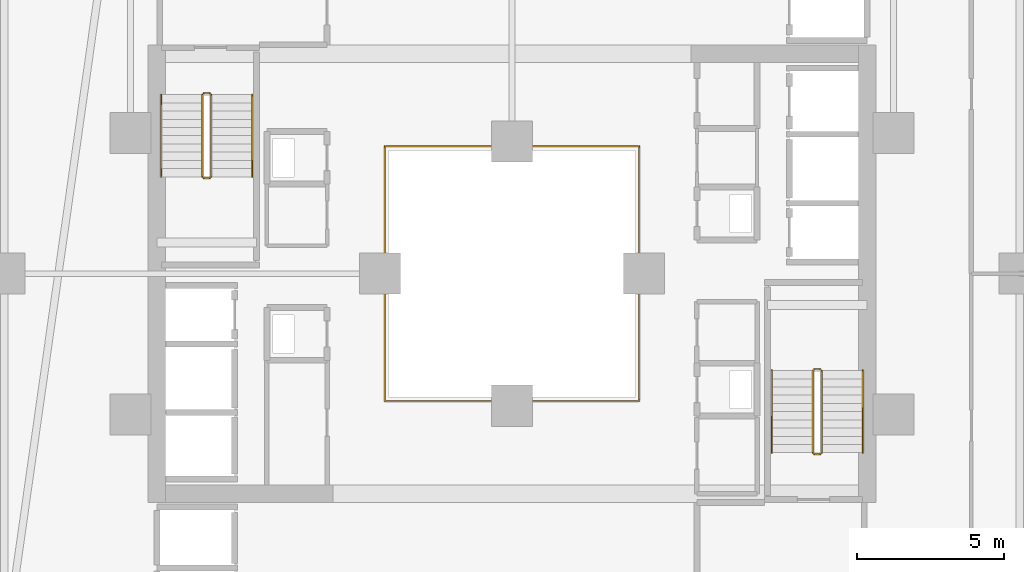
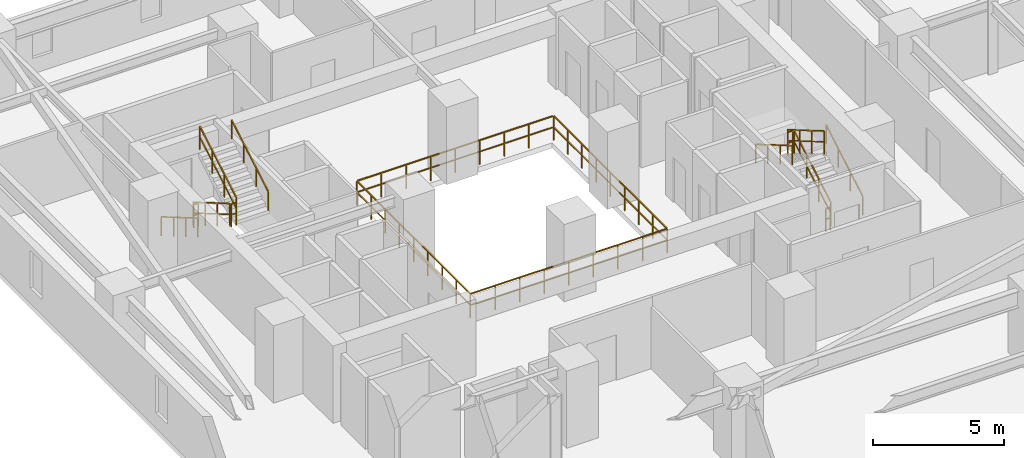
# One storey, part 32 of 33: 13 railings.
"""IFC4 building model written with IfcOpenShell, lengths in metres."""

from ifc_helpers import new_model, si_unit, direction, frame, origin, origin_2d, place, context, subcontext, project, spatial, rectangle, extrude, material, type_object, element, save


model = new_model("IFC4")

# Units and contexts
model_context = context("Model", 3, precision=1e-05, world=origin(), true_north=direction((0.0, 1.0)))
body_context = subcontext(model_context, "Body", "Model", "MODEL_VIEW")
ifc_project = project(units=[si_unit("LENGTHUNIT", "METRE"), si_unit("AREAUNIT", "SQUARE_METRE"), si_unit("VOLUMEUNIT", "CUBIC_METRE"), si_unit("PLANEANGLEUNIT", "RADIAN"), si_unit("MASSUNIT", "GRAM", prefix="KILO")], contexts=[model_context])

# Site, building, storey
site_placement = place(None, origin())
site = spatial("IfcSite", under=ifc_project, at=site_placement, CompositionType="ELEMENT")
building_placement = place(site_placement, origin())
building = spatial("IfcBuilding", under=site, at=building_placement, Name="Thornwick Lancets Civic Towers", CompositionType="ELEMENT")
storey_placement = place(building_placement, frame((0.0, 0.0, 31.5)))
storey = spatial("IfcBuildingStorey", under=building, at=storey_placement, Name="L07", CompositionType="ELEMENT", Elevation=31.5)

# Railings
ifc_material_1 = material(Name="Laminated glass and bronze steel S355", Category="steel")
railing_type_1 = type_object("IfcRailingType", Name="RAIL_ATRIUM_GUARD", PredefinedType="BALUSTRADE", material=ifc_material_1)
railing_1_placement = place(storey_placement, frame((84.159912109375, 22.659912109375, 0.0)))
element("IfcRailing", 1, at=railing_1_placement, inside=storey, type_object=railing_type_1, Name="L07 Tower B Central Atrium Guard Balustrade", PredefinedType="BALUSTRADE", context=body_context, shape_type="SweptSolid", body=[
    extrude(rectangle(XDim=0.048095703125, YDim=0.048095703125, at=origin_2d()), frame((0.0, 0.0, 1.1259765625), z_axis=(1.0, 0.0, 0.0), x_axis=(0.0, 1.0, 0.0)), (0.0, 0.0, 1.0), 8.64892578125),
    extrude(rectangle(XDim=0.0419921875, YDim=0.0419921875, at=origin_2d()), frame((0.03759765625, 0.0, 0.597900390625), z_axis=(1.0, 0.0, 0.0), x_axis=(0.0, 1.0, 0.0)), (0.0, 0.0, 1.0), 1.010009765625),
    extrude(rectangle(XDim=0.0419921875, YDim=0.0419921875, at=origin_2d()), frame((1.12255859375, 0.0, 0.597900390625), z_axis=(1.0, 0.0, 0.0), x_axis=(0.0, 1.0, 0.0)), (0.0, 0.0, 1.0), 1.010009765625),
    extrude(rectangle(XDim=0.0419921875, YDim=0.0419921875, at=origin_2d()), frame((2.20751953125, 0.0, 0.597900390625), z_axis=(1.0, 0.0, 0.0), x_axis=(0.0, 1.0, 0.0)), (0.0, 0.0, 1.0), 1.010009765625),
    extrude(rectangle(XDim=0.0419921875, YDim=0.0419921875, at=origin_2d()), frame((3.29248046875, 0.0, 0.597900390625), z_axis=(1.0, 0.0, 0.0), x_axis=(0.0, 1.0, 0.0)), (0.0, 0.0, 1.0), 1.010009765625),
    extrude(rectangle(XDim=0.0419921875, YDim=0.0419921875, at=origin_2d()), frame((4.377685546875, 0.0, 0.597900390625), z_axis=(1.0, 0.0, 0.0), x_axis=(0.0, 1.0, 0.0)), (0.0, 0.0, 1.0), 1.010009765625),
    extrude(rectangle(XDim=0.0419921875, YDim=0.0419921875, at=origin_2d()), frame((5.462646484375, 0.0, 0.597900390625), z_axis=(1.0, 0.0, 0.0), x_axis=(0.0, 1.0, 0.0)), (0.0, 0.0, 1.0), 1.010009765625),
    extrude(rectangle(XDim=0.0419921875, YDim=0.0419921875, at=origin_2d()), frame((6.547607421875, 0.0, 0.597900390625), z_axis=(1.0, 0.0, 0.0), x_axis=(0.0, 1.0, 0.0)), (0.0, 0.0, 1.0), 1.010009765625),
    extrude(rectangle(XDim=0.0419921875, YDim=0.0419921875, at=origin_2d()), frame((7.632568359375, 0.0, 0.597900390625), z_axis=(1.0, 0.0, 0.0), x_axis=(0.0, 1.0, 0.0)), (0.0, 0.0, 1.0), 1.010009765625),
    extrude(rectangle(XDim=0.048095703125, YDim=0.048095703125, at=origin_2d()), frame((8.68017578125, 0.03125, 1.1259765625), z_axis=(0.0, 1.0, 0.0), x_axis=(-1.0, 0.0, 0.0)), (0.0, 0.0, 1.0), 8.61767578125),
    extrude(rectangle(XDim=0.0419921875, YDim=0.0419921875, at=origin_2d()), frame((8.68017578125, 0.03759765625, 0.597900390625), z_axis=(0.0, 1.0, 0.0), x_axis=(-1.0, 0.0, 0.0)), (0.0, 0.0, 1.0), 1.010009765625),
    extrude(rectangle(XDim=0.0419921875, YDim=0.0419921875, at=origin_2d()), frame((8.68017578125, 1.12255859375, 0.597900390625), z_axis=(0.0, 1.0, 0.0), x_axis=(-1.0, 0.0, 0.0)), (0.0, 0.0, 1.0), 1.010009765625),
    extrude(rectangle(XDim=0.0419921875, YDim=0.0419921875, at=origin_2d()), frame((8.68017578125, 2.20751953125, 0.597900390625), z_axis=(0.0, 1.0, 0.0), x_axis=(-1.0, 0.0, 0.0)), (0.0, 0.0, 1.0), 1.010009765625),
    extrude(rectangle(XDim=0.0419921875, YDim=0.0419921875, at=origin_2d()), frame((8.68017578125, 3.29248046875, 0.597900390625), z_axis=(0.0, 1.0, 0.0), x_axis=(-1.0, 0.0, 0.0)), (0.0, 0.0, 1.0), 1.010009765625),
    extrude(rectangle(XDim=0.0419921875, YDim=0.0419921875, at=origin_2d()), frame((8.68017578125, 4.377685546875, 0.597900390625), z_axis=(0.0, 1.0, 0.0), x_axis=(-1.0, 0.0, 0.0)), (0.0, 0.0, 1.0), 1.010009765625),
    extrude(rectangle(XDim=0.0419921875, YDim=0.0419921875, at=origin_2d()), frame((8.68017578125, 5.462646484375, 0.597900390625), z_axis=(0.0, 1.0, 0.0), x_axis=(-1.0, 0.0, 0.0)), (0.0, 0.0, 1.0), 1.010009765625),
    extrude(rectangle(XDim=0.0419921875, YDim=0.0419921875, at=origin_2d()), frame((8.68017578125, 6.547607421875, 0.597900390625), z_axis=(0.0, 1.0, 0.0), x_axis=(-1.0, 0.0, 0.0)), (0.0, 0.0, 1.0), 1.010009765625),
    extrude(rectangle(XDim=0.0419921875, YDim=0.0419921875, at=origin_2d()), frame((8.68017578125, 7.632568359375, 0.597900390625), z_axis=(0.0, 1.0, 0.0), x_axis=(-1.0, 0.0, 0.0)), (0.0, 0.0, 1.0), 1.010009765625),
    extrude(rectangle(XDim=0.048095703125, YDim=0.048095703125, at=origin_2d()), frame((8.64892578125, 8.68017578125, 1.1259765625), z_axis=(-1.0, 0.0, 0.0), x_axis=(0.0, -1.0, 0.0)), (0.0, 0.0, 1.0), 8.61767578125),
    extrude(rectangle(XDim=0.0419921875, YDim=0.0419921875, at=origin_2d()), frame((8.642578125, 8.68017578125, 0.597900390625), z_axis=(-1.0, 0.0, 0.0), x_axis=(0.0, -1.0, 0.0)), (0.0, 0.0, 1.0), 1.010009765625),
    extrude(rectangle(XDim=0.0419921875, YDim=0.0419921875, at=origin_2d()), frame((7.5576171875, 8.68017578125, 0.597900390625), z_axis=(-1.0, 0.0, 0.0), x_axis=(0.0, -1.0, 0.0)), (0.0, 0.0, 1.0), 1.010009765625),
    extrude(rectangle(XDim=0.0419921875, YDim=0.0419921875, at=origin_2d()), frame((6.47265625, 8.68017578125, 0.597900390625), z_axis=(-1.0, 0.0, 0.0), x_axis=(0.0, -1.0, 0.0)), (0.0, 0.0, 1.0), 1.010009765625),
    extrude(rectangle(XDim=0.0419921875, YDim=0.0419921875, at=origin_2d()), frame((5.3876953125, 8.68017578125, 0.597900390625), z_axis=(-1.0, 0.0, 0.0), x_axis=(0.0, -1.0, 0.0)), (0.0, 0.0, 1.0), 1.010009765625),
    extrude(rectangle(XDim=0.0419921875, YDim=0.0419921875, at=origin_2d()), frame((4.302490234375, 8.68017578125, 0.597900390625), z_axis=(-1.0, 0.0, 0.0), x_axis=(0.0, -1.0, 0.0)), (0.0, 0.0, 1.0), 1.010009765625),
    extrude(rectangle(XDim=0.0419921875, YDim=0.0419921875, at=origin_2d()), frame((3.217529296875, 8.68017578125, 0.597900390625), z_axis=(-1.0, 0.0, 0.0), x_axis=(0.0, -1.0, 0.0)), (0.0, 0.0, 1.0), 1.010009765625),
    extrude(rectangle(XDim=0.0419921875, YDim=0.0419921875, at=origin_2d()), frame((2.132568359375, 8.68017578125, 0.597900390625), z_axis=(-1.0, 0.0, 0.0), x_axis=(0.0, -1.0, 0.0)), (0.0, 0.0, 1.0), 1.010009765625),
    extrude(rectangle(XDim=0.0419921875, YDim=0.0419921875, at=origin_2d()), frame((1.047607421875, 8.68017578125, 0.597900390625), z_axis=(-1.0, 0.0, 0.0), x_axis=(0.0, -1.0, 0.0)), (0.0, 0.0, 1.0), 1.010009765625),
    extrude(rectangle(XDim=0.048095703125, YDim=0.048095703125, at=origin_2d()), frame((0.0, 8.64892578125, 1.1259765625), z_axis=(0.0, -1.0, 0.0), x_axis=(1.0, 0.0, 0.0)), (0.0, 0.0, 1.0), 8.64892578125),
    extrude(rectangle(XDim=0.0419921875, YDim=0.0419921875, at=origin_2d()), frame((0.0, 8.642578125, 0.597900390625), z_axis=(0.0, -1.0, 0.0), x_axis=(1.0, 0.0, 0.0)), (0.0, 0.0, 1.0), 1.010009765625),
    extrude(rectangle(XDim=0.0419921875, YDim=0.0419921875, at=origin_2d()), frame((0.0, 7.5576171875, 0.597900390625), z_axis=(0.0, -1.0, 0.0), x_axis=(1.0, 0.0, 0.0)), (0.0, 0.0, 1.0), 1.010009765625),
    extrude(rectangle(XDim=0.0419921875, YDim=0.0419921875, at=origin_2d()), frame((0.0, 6.47265625, 0.597900390625), z_axis=(0.0, -1.0, 0.0), x_axis=(1.0, 0.0, 0.0)), (0.0, 0.0, 1.0), 1.010009765625),
    extrude(rectangle(XDim=0.0419921875, YDim=0.0419921875, at=origin_2d()), frame((0.0, 5.3876953125, 0.597900390625), z_axis=(0.0, -1.0, 0.0), x_axis=(1.0, 0.0, 0.0)), (0.0, 0.0, 1.0), 1.010009765625),
    extrude(rectangle(XDim=0.0419921875, YDim=0.0419921875, at=origin_2d()), frame((0.0, 4.302490234375, 0.597900390625), z_axis=(0.0, -1.0, 0.0), x_axis=(1.0, 0.0, 0.0)), (0.0, 0.0, 1.0), 1.010009765625),
    extrude(rectangle(XDim=0.0419921875, YDim=0.0419921875, at=origin_2d()), frame((0.0, 3.217529296875, 0.597900390625), z_axis=(0.0, -1.0, 0.0), x_axis=(1.0, 0.0, 0.0)), (0.0, 0.0, 1.0), 1.010009765625),
    extrude(rectangle(XDim=0.0419921875, YDim=0.0419921875, at=origin_2d()), frame((0.0, 2.132568359375, 0.597900390625), z_axis=(0.0, -1.0, 0.0), x_axis=(1.0, 0.0, 0.0)), (0.0, 0.0, 1.0), 1.010009765625),
    extrude(rectangle(XDim=0.0419921875, YDim=0.0419921875, at=origin_2d()), frame((0.0, 1.047607421875, 0.597900390625), z_axis=(0.0, -1.0, 0.0), x_axis=(1.0, 0.0, 0.0)), (0.0, 0.0, 1.0), 1.010009765625),
    extrude(rectangle(XDim=0.0419921875, YDim=0.0419921875, at=origin_2d()), origin(), (0.0, 0.0, 1.0), 1.095703125),
    extrude(rectangle(XDim=0.0419921875, YDim=0.0419921875, at=origin_2d()), frame((1.0849609375, 0.0, 0.0)), (0.0, 0.0, 1.0), 1.095703125),
    extrude(rectangle(XDim=0.0419921875, YDim=0.0419921875, at=origin_2d()), frame((2.169921875, 0.0, 0.0)), (0.0, 0.0, 1.0), 1.095703125),
    extrude(rectangle(XDim=0.0419921875, YDim=0.0419921875, at=origin_2d()), frame((3.255126953125, 0.0, 0.0)), (0.0, 0.0, 1.0), 1.095703125),
    extrude(rectangle(XDim=0.0419921875, YDim=0.0419921875, at=origin_2d()), frame((4.340087890625, 0.0, 0.0)), (0.0, 0.0, 1.0), 1.095703125),
    extrude(rectangle(XDim=0.0419921875, YDim=0.0419921875, at=origin_2d()), frame((5.425048828125, 0.0, 0.0)), (0.0, 0.0, 1.0), 1.095703125),
    extrude(rectangle(XDim=0.0419921875, YDim=0.0419921875, at=origin_2d()), frame((6.51025390625, 0.0, 0.0)), (0.0, 0.0, 1.0), 1.095703125),
    extrude(rectangle(XDim=0.0419921875, YDim=0.0419921875, at=origin_2d()), frame((7.59521484375, 0.0, 0.0)), (0.0, 0.0, 1.0), 1.095703125),
    extrude(rectangle(XDim=0.0419921875, YDim=0.0419921875, at=origin_2d()), frame((8.68017578125, 0.0, 0.0)), (0.0, 0.0, 1.0), 1.095703125),
    extrude(rectangle(XDim=0.0419921875, YDim=0.0419921875, at=origin_2d()), frame((8.68017578125, 1.0849609375, 0.0)), (0.0, 0.0, 1.0), 1.095703125),
    extrude(rectangle(XDim=0.0419921875, YDim=0.0419921875, at=origin_2d()), frame((8.68017578125, 2.169921875, 0.0)), (0.0, 0.0, 1.0), 1.095703125),
    extrude(rectangle(XDim=0.0419921875, YDim=0.0419921875, at=origin_2d()), frame((8.68017578125, 3.255126953125, 0.0)), (0.0, 0.0, 1.0), 1.095703125),
    extrude(rectangle(XDim=0.0419921875, YDim=0.0419921875, at=origin_2d()), frame((8.68017578125, 4.340087890625, 0.0)), (0.0, 0.0, 1.0), 1.095703125),
    extrude(rectangle(XDim=0.0419921875, YDim=0.0419921875, at=origin_2d()), frame((8.68017578125, 5.425048828125, 0.0)), (0.0, 0.0, 1.0), 1.095703125),
    extrude(rectangle(XDim=0.0419921875, YDim=0.0419921875, at=origin_2d()), frame((8.68017578125, 6.51025390625, 0.0)), (0.0, 0.0, 1.0), 1.095703125),
    extrude(rectangle(XDim=0.0419921875, YDim=0.0419921875, at=origin_2d()), frame((8.68017578125, 7.59521484375, 0.0)), (0.0, 0.0, 1.0), 1.095703125),
    extrude(rectangle(XDim=0.0419921875, YDim=0.0419921875, at=origin_2d()), frame((8.68017578125, 8.68017578125, 0.0)), (0.0, 0.0, 1.0), 1.095703125),
    extrude(rectangle(XDim=0.0419921875, YDim=0.0419921875, at=origin_2d()), frame((7.59521484375, 8.68017578125, 0.0)), (0.0, 0.0, 1.0), 1.095703125),
    extrude(rectangle(XDim=0.0419921875, YDim=0.0419921875, at=origin_2d()), frame((6.51025390625, 8.68017578125, 0.0)), (0.0, 0.0, 1.0), 1.095703125),
    extrude(rectangle(XDim=0.0419921875, YDim=0.0419921875, at=origin_2d()), frame((5.425048828125, 8.68017578125, 0.0)), (0.0, 0.0, 1.0), 1.095703125),
    extrude(rectangle(XDim=0.0419921875, YDim=0.0419921875, at=origin_2d()), frame((4.340087890625, 8.68017578125, 0.0)), (0.0, 0.0, 1.0), 1.095703125),
    extrude(rectangle(XDim=0.0419921875, YDim=0.0419921875, at=origin_2d()), frame((3.255126953125, 8.68017578125, 0.0)), (0.0, 0.0, 1.0), 1.095703125),
    extrude(rectangle(XDim=0.0419921875, YDim=0.0419921875, at=origin_2d()), frame((2.169921875, 8.68017578125, 0.0)), (0.0, 0.0, 1.0), 1.095703125),
    extrude(rectangle(XDim=0.0419921875, YDim=0.0419921875, at=origin_2d()), frame((1.0849609375, 8.68017578125, 0.0)), (0.0, 0.0, 1.0), 1.095703125),
    extrude(rectangle(XDim=0.0419921875, YDim=0.0419921875, at=origin_2d()), frame((0.0, 8.68017578125, 0.0)), (0.0, 0.0, 1.0), 1.095703125),
    extrude(rectangle(XDim=0.0419921875, YDim=0.0419921875, at=origin_2d()), frame((0.0, 7.59521484375, 0.0)), (0.0, 0.0, 1.0), 1.095703125),
    extrude(rectangle(XDim=0.0419921875, YDim=0.0419921875, at=origin_2d()), frame((0.0, 6.51025390625, 0.0)), (0.0, 0.0, 1.0), 1.095703125),
    extrude(rectangle(XDim=0.0419921875, YDim=0.0419921875, at=origin_2d()), frame((0.0, 5.425048828125, 0.0)), (0.0, 0.0, 1.0), 1.095703125),
    extrude(rectangle(XDim=0.0419921875, YDim=0.0419921875, at=origin_2d()), frame((0.0, 4.340087890625, 0.0)), (0.0, 0.0, 1.0), 1.095703125),
    extrude(rectangle(XDim=0.0419921875, YDim=0.0419921875, at=origin_2d()), frame((0.0, 3.255126953125, 0.0)), (0.0, 0.0, 1.0), 1.095703125),
    extrude(rectangle(XDim=0.0419921875, YDim=0.0419921875, at=origin_2d()), frame((0.0, 2.169921875, 0.0)), (0.0, 0.0, 1.0), 1.095703125),
    extrude(rectangle(XDim=0.0419921875, YDim=0.0419921875, at=origin_2d()), frame((0.0, 1.0849609375, 0.0)), (0.0, 0.0, 1.0), 1.095703125),
])
ifc_material_2 = material(Name="Brushed stainless steel S355", Category="steel")
railing_type_2 = type_object("IfcRailingType", Name="RAIL_HANDRAIL", PredefinedType="HANDRAIL", material=ifc_material_2)
railing_2_placement = place(storey_placement, frame((100.449951171875, 20.89990234375, 0.16357421875)))
element("IfcRailing", 2, at=railing_2_placement, inside=storey, type_object=railing_type_2, Name="L07 ST-B1 stair handrail 1", PredefinedType="HANDRAIL", context=body_context, shape_type="SweptSolid", body=[
    extrude(rectangle(XDim=0.048095703125, YDim=0.048095703125, at=origin_2d()), frame((0.0, 0.0, 0.8857421875), z_axis=(0.0, 0.863360870873, 0.504586966384), x_axis=(-1.0, 0.0, 0.0)), (0.0, 0.0, 1.0), 3.2431640625),
    extrude(rectangle(XDim=0.0419921875, YDim=0.0419921875, at=origin_2d()), origin(), (0.0, 0.0, 1.0), 0.855712890625),
    extrude(rectangle(XDim=0.0419921875, YDim=0.0419921875, at=origin_2d()), frame((0.0, 0.933349609375, 0.54541015625)), (0.0, 0.0, 1.0), 0.855712890625),
    extrude(rectangle(XDim=0.0419921875, YDim=0.0419921875, at=origin_2d()), frame((0.0, 1.86669921875, 1.091064453125)), (0.0, 0.0, 1.0), 0.855712890625),
    extrude(rectangle(XDim=0.0419921875, YDim=0.0419921875, at=origin_2d()), frame((0.0, 2.800048828125, 1.636474609375)), (0.0, 0.0, 1.0), 0.855712890625),
])
for number, where, name in (
    (3, (97.35009765625, 23.699951171875, 1.963623046875), "L07 ST-B1 stair handrail 2"),
    (4, (76.550048828125, 33.10009765625, 0.16357421875), "L07 ST-B2 stair handrail 1"),
):
    element("IfcRailing", number, at=place(storey_placement, frame(where)), inside=storey, type_object=railing_type_2, Name=name, PredefinedType="HANDRAIL", context=body_context, shape_type="SweptSolid", body=[
        extrude(rectangle(XDim=0.048095703125, YDim=0.048095703125, at=origin_2d()), frame((0.0, 0.0, 0.8857421875), z_axis=(0.0, -0.863360870873, 0.504586966384), x_axis=(1.0, 0.0, 0.0)), (0.0, 0.0, 1.0), 3.2431640625),
        extrude(rectangle(XDim=0.0419921875, YDim=0.0419921875, at=origin_2d()), origin(), (0.0, 0.0, 1.0), 0.855712890625),
        extrude(rectangle(XDim=0.0419921875, YDim=0.0419921875, at=origin_2d()), frame((0.0, -0.933349609375, 0.54541015625)), (0.0, 0.0, 1.0), 0.855712890625),
        extrude(rectangle(XDim=0.0419921875, YDim=0.0419921875, at=origin_2d()), frame((0.0, -1.86669921875, 1.091064453125)), (0.0, 0.0, 1.0), 0.855712890625),
        extrude(rectangle(XDim=0.0419921875, YDim=0.0419921875, at=origin_2d()), frame((0.0, -2.800048828125, 1.636474609375)), (0.0, 0.0, 1.0), 0.855712890625),
    ])
railing_3_placement = place(storey_placement, frame((79.64990234375, 30.300048828125, 1.963623046875)))
element("IfcRailing", 5, at=railing_3_placement, inside=storey, type_object=railing_type_2, Name="L07 ST-B2 stair handrail 2", PredefinedType="HANDRAIL", context=body_context, shape_type="SweptSolid", body=[
    extrude(rectangle(XDim=0.048095703125, YDim=0.048095703125, at=origin_2d()), frame((0.0, 0.0, 0.8857421875), z_axis=(0.0, 0.863360870873, 0.504586966384), x_axis=(-1.0, 0.0, 0.0)), (0.0, 0.0, 1.0), 3.2431640625),
    extrude(rectangle(XDim=0.0419921875, YDim=0.0419921875, at=origin_2d()), origin(), (0.0, 0.0, 1.0), 0.855712890625),
    extrude(rectangle(XDim=0.0419921875, YDim=0.0419921875, at=origin_2d()), frame((0.0, 0.933349609375, 0.54541015625)), (0.0, 0.0, 1.0), 0.855712890625),
    extrude(rectangle(XDim=0.0419921875, YDim=0.0419921875, at=origin_2d()), frame((0.0, 1.86669921875, 1.091064453125)), (0.0, 0.0, 1.0), 0.855712890625),
    extrude(rectangle(XDim=0.0419921875, YDim=0.0419921875, at=origin_2d()), frame((0.0, 2.800048828125, 1.636474609375)), (0.0, 0.0, 1.0), 0.855712890625),
])
ifc_material_3 = material(Name="Steel S355JR", Category="steel")
railing_type_3 = type_object("IfcRailingType", Name="RAIL_STAIR_GUARD", PredefinedType="GUARDRAIL", material=ifc_material_3)
railing_4_placement = place(storey_placement, frame((99.050048828125, 20.89990234375, 0.16357421875)))
element("IfcRailing", 6, at=railing_4_placement, inside=storey, type_object=railing_type_3, Name="L07 ST-B1 stair guard 1", PredefinedType="GUARDRAIL", context=body_context, shape_type="SweptSolid", body=[
    extrude(rectangle(XDim=0.048095703125, YDim=0.048095703125, at=origin_2d()), frame((0.0, 0.0, 1.076171875), z_axis=(0.0, 0.863360870873, 0.504586966384), x_axis=(-1.0, 0.0, 0.0)), (0.0, 0.0, 1.0), 3.2431640625),
    extrude(rectangle(XDim=0.0419921875, YDim=0.0419921875, at=origin_2d()), frame((0.0, 0.032470703125, 0.591064453125), z_axis=(0.0, 0.863360870873, 0.504586966384), x_axis=(-1.0, 0.0, 0.0)), (0.0, 0.0, 1.0), 1.006103515625),
    extrude(rectangle(XDim=0.0419921875, YDim=0.0419921875, at=origin_2d()), frame((0.0, 0.9658203125, 1.136474609375), z_axis=(0.0, 0.863360870873, 0.504586966384), x_axis=(-1.0, 0.0, 0.0)), (0.0, 0.0, 1.0), 1.006103515625),
    extrude(rectangle(XDim=0.0419921875, YDim=0.0419921875, at=origin_2d()), frame((0.0, 1.899169921875, 1.681884765625), z_axis=(0.0, 0.863360870873, 0.504586966384), x_axis=(-1.0, 0.0, 0.0)), (0.0, 0.0, 1.0), 1.006103515625),
    extrude(rectangle(XDim=0.0419921875, YDim=0.0419921875, at=origin_2d()), origin(), (0.0, 0.0, 1.0), 1.0458984375),
    extrude(rectangle(XDim=0.0419921875, YDim=0.0419921875, at=origin_2d()), frame((0.0, 0.933349609375, 0.54541015625)), (0.0, 0.0, 1.0), 1.0458984375),
    extrude(rectangle(XDim=0.0419921875, YDim=0.0419921875, at=origin_2d()), frame((0.0, 1.86669921875, 1.091064453125)), (0.0, 0.0, 1.0), 1.0458984375),
    extrude(rectangle(XDim=0.0419921875, YDim=0.0419921875, at=origin_2d()), frame((0.0, 2.800048828125, 1.636474609375)), (0.0, 0.0, 1.0), 1.0458984375),
])
railing_5_placement = place(storey_placement, frame((99.0, 23.75, 1.800048828125)))
element("IfcRailing", 7, at=railing_5_placement, inside=storey, type_object=railing_type_3, Name="L07 ST-B1 stair guard 2", PredefinedType="GUARDRAIL", context=body_context, shape_type="SweptSolid", body=[
    extrude(rectangle(XDim=0.048095703125, YDim=0.048095703125, at=origin_2d()), frame((0.0, 0.0, 1.076171875), z_axis=(-1.0, 0.0, 0.0), x_axis=(0.0, -1.0, 0.0)), (0.0, 0.0, 1.0), 0.199951171875),
    extrude(rectangle(XDim=0.0419921875, YDim=0.0419921875, at=origin_2d()), frame((-0.03759765625, 0.0, 0.572021484375), z_axis=(-1.0, 0.0, 0.0), x_axis=(0.0, -1.0, 0.0)), (0.0, 0.0, 1.0), 0.125),
    extrude(rectangle(XDim=0.0419921875, YDim=0.0419921875, at=origin_2d()), origin(), (0.0, 0.0, 1.0), 1.0458984375),
    extrude(rectangle(XDim=0.0419921875, YDim=0.0419921875, at=origin_2d()), frame((-0.199951171875, 0.0, 0.0)), (0.0, 0.0, 1.0), 1.0458984375),
])
railing_6_placement = place(storey_placement, frame((98.75, 23.699951171875, 1.963623046875)))
element("IfcRailing", 8, at=railing_6_placement, inside=storey, type_object=railing_type_3, Name="L07 ST-B1 stair guard 3", PredefinedType="GUARDRAIL", context=body_context, shape_type="SweptSolid", body=[
    extrude(rectangle(XDim=0.048095703125, YDim=0.048095703125, at=origin_2d()), frame((0.0, 0.0, 1.076171875), z_axis=(0.0, -0.863360870873, 0.504586966384), x_axis=(1.0, 0.0, 0.0)), (0.0, 0.0, 1.0), 3.2431640625),
    extrude(rectangle(XDim=0.0419921875, YDim=0.0419921875, at=origin_2d()), frame((0.0, -0.032470703125, 0.591064453125), z_axis=(0.0, -0.863360870873, 0.504586966384), x_axis=(1.0, 0.0, 0.0)), (0.0, 0.0, 1.0), 1.006103515625),
    extrude(rectangle(XDim=0.0419921875, YDim=0.0419921875, at=origin_2d()), frame((0.0, -0.9658203125, 1.136474609375), z_axis=(0.0, -0.863360870873, 0.504586966384), x_axis=(1.0, 0.0, 0.0)), (0.0, 0.0, 1.0), 1.006103515625),
    extrude(rectangle(XDim=0.0419921875, YDim=0.0419921875, at=origin_2d()), frame((0.0, -1.899169921875, 1.681884765625), z_axis=(0.0, -0.863360870873, 0.504586966384), x_axis=(1.0, 0.0, 0.0)), (0.0, 0.0, 1.0), 1.006103515625),
    extrude(rectangle(XDim=0.0419921875, YDim=0.0419921875, at=origin_2d()), origin(), (0.0, 0.0, 1.0), 1.0458984375),
    extrude(rectangle(XDim=0.0419921875, YDim=0.0419921875, at=origin_2d()), frame((0.0, -0.933349609375, 0.54541015625)), (0.0, 0.0, 1.0), 1.0458984375),
    extrude(rectangle(XDim=0.0419921875, YDim=0.0419921875, at=origin_2d()), frame((0.0, -1.86669921875, 1.091064453125)), (0.0, 0.0, 1.0), 1.0458984375),
    extrude(rectangle(XDim=0.0419921875, YDim=0.0419921875, at=origin_2d()), frame((0.0, -2.800048828125, 1.636474609375)), (0.0, 0.0, 1.0), 1.0458984375),
])
railing_7_placement = place(storey_placement, frame((99.0, 20.85009765625, 0.0)))
element("IfcRailing", 9, at=railing_7_placement, inside=storey, type_object=railing_type_3, Name="L07 ST-B1 stair guard 4", PredefinedType="GUARDRAIL", context=body_context, shape_type="SweptSolid", body=[
    extrude(rectangle(XDim=0.048095703125, YDim=0.048095703125, at=origin_2d()), frame((0.0, 0.0, 1.076171875), z_axis=(-1.0, 0.0, 0.0), x_axis=(0.0, -1.0, 0.0)), (0.0, 0.0, 1.0), 0.199951171875),
    extrude(rectangle(XDim=0.0419921875, YDim=0.0419921875, at=origin_2d()), frame((-0.03759765625, 0.0, 0.572021484375), z_axis=(-1.0, 0.0, 0.0), x_axis=(0.0, -1.0, 0.0)), (0.0, 0.0, 1.0), 0.125),
    extrude(rectangle(XDim=0.0419921875, YDim=0.0419921875, at=origin_2d()), origin(), (0.0, 0.0, 1.0), 1.0458984375),
    extrude(rectangle(XDim=0.0419921875, YDim=0.0419921875, at=origin_2d()), frame((-0.199951171875, 0.0, 0.0)), (0.0, 0.0, 1.0), 1.0458984375),
])
railing_8_placement = place(storey_placement, frame((77.949951171875, 33.10009765625, 0.16357421875)))
element("IfcRailing", 10, at=railing_8_placement, inside=storey, type_object=railing_type_3, Name="L07 ST-B2 stair guard 1", PredefinedType="GUARDRAIL", context=body_context, shape_type="SweptSolid", body=[
    extrude(rectangle(XDim=0.048095703125, YDim=0.048095703125, at=origin_2d()), frame((0.0, 0.0, 1.076171875), z_axis=(0.0, -0.863360870873, 0.504586966384), x_axis=(1.0, 0.0, 0.0)), (0.0, 0.0, 1.0), 3.2431640625),
    extrude(rectangle(XDim=0.0419921875, YDim=0.0419921875, at=origin_2d()), frame((0.0, -0.032470703125, 0.591064453125), z_axis=(0.0, -0.863360870873, 0.504586966384), x_axis=(1.0, 0.0, 0.0)), (0.0, 0.0, 1.0), 1.006103515625),
    extrude(rectangle(XDim=0.0419921875, YDim=0.0419921875, at=origin_2d()), frame((0.0, -0.9658203125, 1.136474609375), z_axis=(0.0, -0.863360870873, 0.504586966384), x_axis=(1.0, 0.0, 0.0)), (0.0, 0.0, 1.0), 1.006103515625),
    extrude(rectangle(XDim=0.0419921875, YDim=0.0419921875, at=origin_2d()), frame((0.0, -1.899169921875, 1.681884765625), z_axis=(0.0, -0.863360870873, 0.504586966384), x_axis=(1.0, 0.0, 0.0)), (0.0, 0.0, 1.0), 1.006103515625),
    extrude(rectangle(XDim=0.0419921875, YDim=0.0419921875, at=origin_2d()), origin(), (0.0, 0.0, 1.0), 1.0458984375),
    extrude(rectangle(XDim=0.0419921875, YDim=0.0419921875, at=origin_2d()), frame((0.0, -0.933349609375, 0.54541015625)), (0.0, 0.0, 1.0), 1.0458984375),
    extrude(rectangle(XDim=0.0419921875, YDim=0.0419921875, at=origin_2d()), frame((0.0, -1.86669921875, 1.091064453125)), (0.0, 0.0, 1.0), 1.0458984375),
    extrude(rectangle(XDim=0.0419921875, YDim=0.0419921875, at=origin_2d()), frame((0.0, -2.800048828125, 1.636474609375)), (0.0, 0.0, 1.0), 1.0458984375),
])
railing_9_placement = place(storey_placement, frame((78.0, 30.25, 1.800048828125)))
element("IfcRailing", 11, at=railing_9_placement, inside=storey, type_object=railing_type_3, Name="L07 ST-B2 stair guard 2", PredefinedType="GUARDRAIL", context=body_context, shape_type="SweptSolid", body=[
    extrude(rectangle(XDim=0.048095703125, YDim=0.048095703125, at=origin_2d()), frame((0.0, 0.0, 1.076171875), z_axis=(1.0, 0.0, 0.0), x_axis=(0.0, 1.0, 0.0)), (0.0, 0.0, 1.0), 0.199951171875),
    extrude(rectangle(XDim=0.0419921875, YDim=0.0419921875, at=origin_2d()), frame((0.03759765625, 0.0, 0.572021484375), z_axis=(1.0, 0.0, 0.0), x_axis=(0.0, 1.0, 0.0)), (0.0, 0.0, 1.0), 0.125),
    extrude(rectangle(XDim=0.0419921875, YDim=0.0419921875, at=origin_2d()), origin(), (0.0, 0.0, 1.0), 1.0458984375),
    extrude(rectangle(XDim=0.0419921875, YDim=0.0419921875, at=origin_2d()), frame((0.199951171875, 0.0, 0.0)), (0.0, 0.0, 1.0), 1.0458984375),
])
railing_10_placement = place(storey_placement, frame((78.25, 30.300048828125, 1.963623046875)))
element("IfcRailing", 12, at=railing_10_placement, inside=storey, type_object=railing_type_3, Name="L07 ST-B2 stair guard 3", PredefinedType="GUARDRAIL", context=body_context, shape_type="SweptSolid", body=[
    extrude(rectangle(XDim=0.048095703125, YDim=0.048095703125, at=origin_2d()), frame((0.0, 0.0, 1.076171875), z_axis=(0.0, 0.863360870873, 0.504586966384), x_axis=(-1.0, 0.0, 0.0)), (0.0, 0.0, 1.0), 3.2431640625),
    extrude(rectangle(XDim=0.0419921875, YDim=0.0419921875, at=origin_2d()), frame((0.0, 0.032470703125, 0.591064453125), z_axis=(0.0, 0.863360870873, 0.504586966384), x_axis=(-1.0, 0.0, 0.0)), (0.0, 0.0, 1.0), 1.006103515625),
    extrude(rectangle(XDim=0.0419921875, YDim=0.0419921875, at=origin_2d()), frame((0.0, 0.9658203125, 1.136474609375), z_axis=(0.0, 0.863360870873, 0.504586966384), x_axis=(-1.0, 0.0, 0.0)), (0.0, 0.0, 1.0), 1.006103515625),
    extrude(rectangle(XDim=0.0419921875, YDim=0.0419921875, at=origin_2d()), frame((0.0, 1.899169921875, 1.681884765625), z_axis=(0.0, 0.863360870873, 0.504586966384), x_axis=(-1.0, 0.0, 0.0)), (0.0, 0.0, 1.0), 1.006103515625),
    extrude(rectangle(XDim=0.0419921875, YDim=0.0419921875, at=origin_2d()), origin(), (0.0, 0.0, 1.0), 1.0458984375),
    extrude(rectangle(XDim=0.0419921875, YDim=0.0419921875, at=origin_2d()), frame((0.0, 0.933349609375, 0.54541015625)), (0.0, 0.0, 1.0), 1.0458984375),
    extrude(rectangle(XDim=0.0419921875, YDim=0.0419921875, at=origin_2d()), frame((0.0, 1.86669921875, 1.091064453125)), (0.0, 0.0, 1.0), 1.0458984375),
    extrude(rectangle(XDim=0.0419921875, YDim=0.0419921875, at=origin_2d()), frame((0.0, 2.800048828125, 1.636474609375)), (0.0, 0.0, 1.0), 1.0458984375),
])
railing_11_placement = place(storey_placement, frame((78.0, 33.14990234375, 0.0)))
element("IfcRailing", 13, at=railing_11_placement, inside=storey, type_object=railing_type_3, Name="L07 ST-B2 stair guard 4", PredefinedType="GUARDRAIL", context=body_context, shape_type="SweptSolid", body=[
    extrude(rectangle(XDim=0.048095703125, YDim=0.048095703125, at=origin_2d()), frame((0.0, 0.0, 1.076171875), z_axis=(1.0, 0.0, 0.0), x_axis=(0.0, 1.0, 0.0)), (0.0, 0.0, 1.0), 0.199951171875),
    extrude(rectangle(XDim=0.0419921875, YDim=0.0419921875, at=origin_2d()), frame((0.03759765625, 0.0, 0.572021484375), z_axis=(1.0, 0.0, 0.0), x_axis=(0.0, 1.0, 0.0)), (0.0, 0.0, 1.0), 0.125),
    extrude(rectangle(XDim=0.0419921875, YDim=0.0419921875, at=origin_2d()), origin(), (0.0, 0.0, 1.0), 1.0458984375),
    extrude(rectangle(XDim=0.0419921875, YDim=0.0419921875, at=origin_2d()), frame((0.199951171875, 0.0, 0.0)), (0.0, 0.0, 1.0), 1.0458984375),
])

save(model, "model.ifc")
